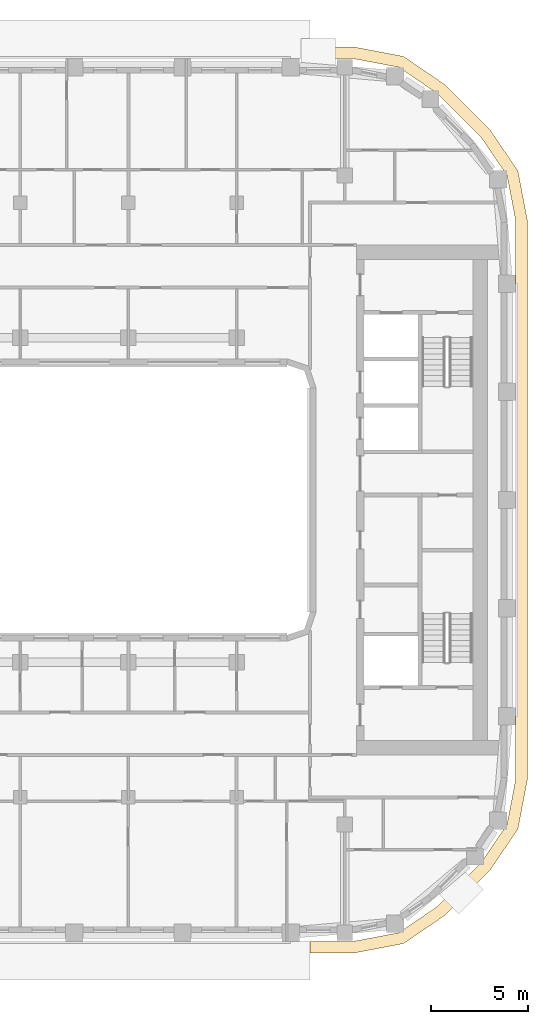
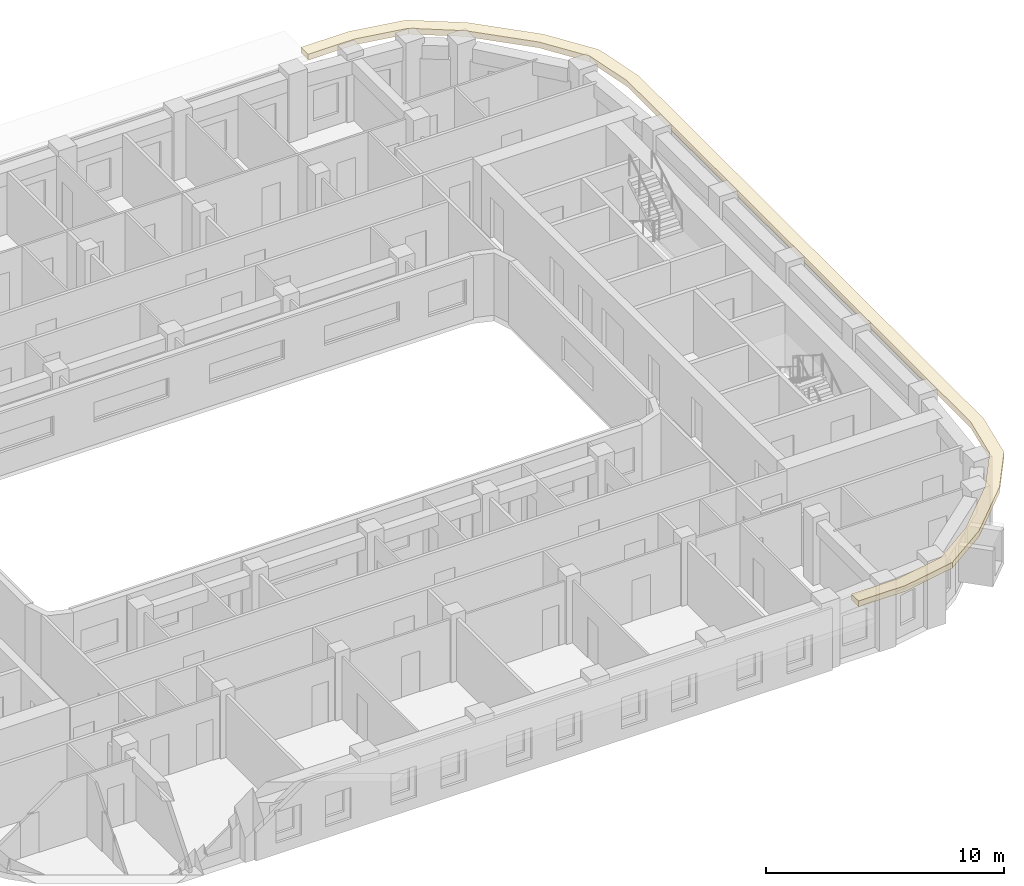
# One storey, part 17 of 21: 1 covering.
"""IFC4 building model written with IfcOpenShell, lengths in metres."""

from ifc_helpers import new_model, si_unit, direction, frame, origin, place, context, subcontext, project, spatial, polyline, outline, extrude, material, layer, layer_set, type_object, element, save


model = new_model("IFC4")

# Units and contexts
model_context = context("Model", 3, precision=1e-05, world=origin(), true_north=direction((0.0, 1.0)))
body_context = subcontext(model_context, "Body", "Model", "MODEL_VIEW")
ifc_project = project(units=[si_unit("LENGTHUNIT", "METRE"), si_unit("AREAUNIT", "SQUARE_METRE"), si_unit("VOLUMEUNIT", "CUBIC_METRE"), si_unit("PLANEANGLEUNIT", "RADIAN"), si_unit("MASSUNIT", "GRAM", prefix="KILO")], contexts=[model_context])

# Site, building, storey
site_placement = place(None, origin())
site = spatial("IfcSite", under=ifc_project, at=site_placement, CompositionType="ELEMENT")
building_placement = place(site_placement, origin())
building = spatial("IfcBuilding", under=site, at=building_placement, Name="Kiln Ring Residences", CompositionType="ELEMENT")
storey_placement = place(building_placement, frame((0.0, 0.0, 195.89990234375)))
storey = spatial("IfcBuildingStorey", under=building, at=storey_placement, Name="L50", CompositionType="ELEMENT", Elevation=195.89990234375)

# Covering
ifc_material = material(Name="Black powder-coated steel", Category="steel")
ifc_layer = layer(ifc_material, 0.300048828125)
ifc_layer_set = layer_set([ifc_layer], Name="SUNSHADE FIN 600")
covering_type = type_object("IfcCoveringType", Name="SUNSHADE FIN 600", PredefinedType="CLADDING", material=ifc_layer_set)
covering_placement = place(storey_placement, frame((0.0, 0.0, 3.2001953125)))
element("IfcCovering", 1, at=covering_placement, inside=storey, type_object=covering_type, Name="SUNSHADE FIN L50", PredefinedType="CLADDING", context=body_context, shape_type="SweptSolid", body=[
    extrude(outline(polyline([(17.29931640625, 23.449951171875), (15.0, 23.449951171875), (15.0, 22.85009765625), (17.242431640625, 22.85009765625), (19.60009765625, 22.400390625), (21.585205078125, 21.05126953125), (23.851318359375, 18.78515625), (25.2001953125, 16.800048828125), (25.64990234375, 14.4423828125), (25.64990234375, -14.4423828125), (25.2001953125, -16.800048828125), (23.851318359375, -18.78515625), (21.585205078125, -21.05126953125), (19.60009765625, -22.400390625), (17.242431640625, -22.85009765625), (15.0, -22.85009765625), (15.0, -23.449951171875), (17.29931640625, -23.449951171875), (19.834716796875, -22.96630859375), (21.96923828125, -21.515625), (24.315673828125, -19.169189453125), (25.766357421875, -17.03466796875), (26.25, -14.499267578125), (26.25, 14.499267578125), (25.766357421875, 17.03466796875), (24.315673828125, 19.169189453125), (21.96923828125, 21.515625), (19.834716796875, 22.96630859375), (17.29931640625, 23.449951171875)])), origin(), (0.0, 0.0, 1.0), 0.2998046875),
])

save(model, "model.ifc")
